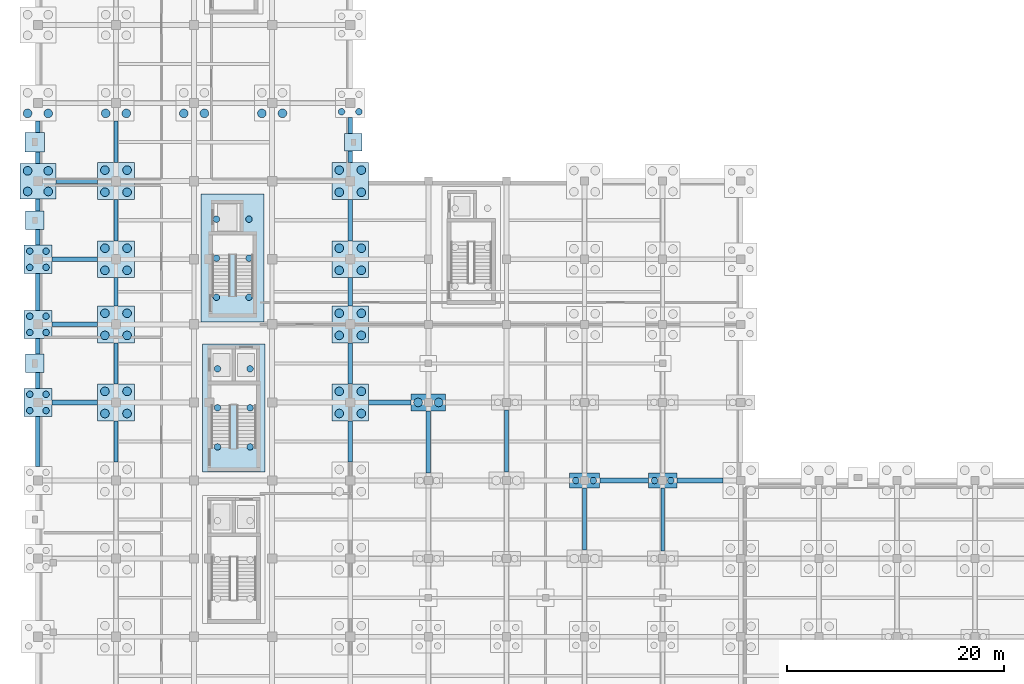
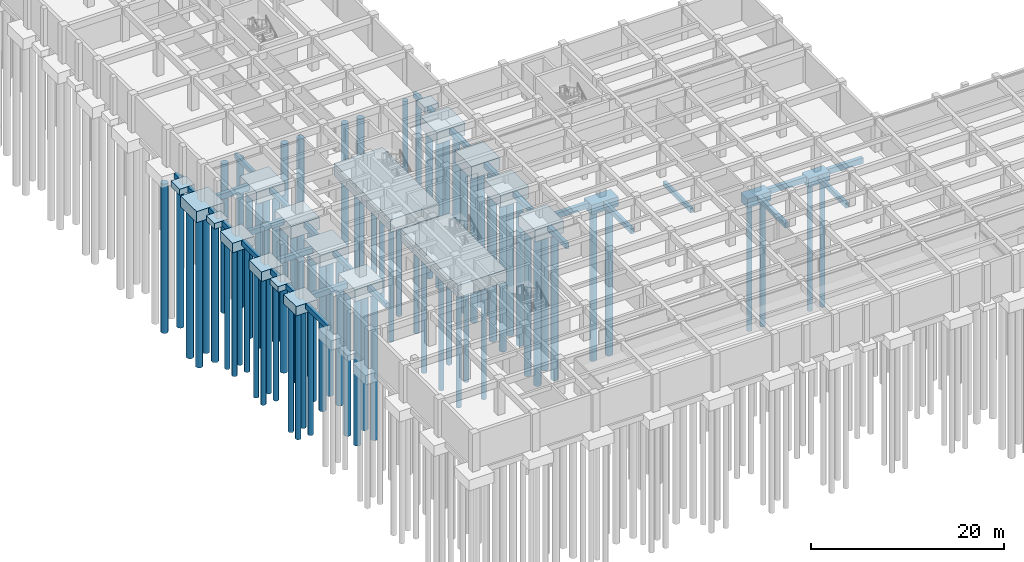
# One storey, part 3 of 28: 76 piles, 51 footings.
"""IFC4 building model written with IfcOpenShell, lengths in metres."""

from ifc_helpers import new_model, si_unit, direction, frame, origin, origin_2d, place, context, subcontext, project, spatial, rectangle, circle, extrude, material, material_profile, profile_set, type_object, element, save


model = new_model("IFC4")

# Units and contexts
model_context = context("Model", 3, precision=1e-05, world=origin(), true_north=direction((0.0, 1.0)))
body_context = subcontext(model_context, "Body", "Model", "MODEL_VIEW")
ifc_project = project(units=[si_unit("LENGTHUNIT", "METRE"), si_unit("AREAUNIT", "SQUARE_METRE"), si_unit("VOLUMEUNIT", "CUBIC_METRE"), si_unit("PLANEANGLEUNIT", "RADIAN"), si_unit("MASSUNIT", "GRAM", prefix="KILO")], contexts=[model_context])

# Site, building, storey
site_placement = place(None, origin())
site = spatial("IfcSite", under=ifc_project, at=site_placement, CompositionType="ELEMENT")
building_placement = place(site_placement, origin())
building = spatial("IfcBuilding", under=site, at=building_placement, Name="Alvorim Cloister Faculty of Sciences", CompositionType="ELEMENT")
storey_placement = place(building_placement, frame((0.0, 0.0, -4.5)))
storey = spatial("IfcBuildingStorey", under=building, at=storey_placement, Name="B01", CompositionType="ELEMENT", Elevation=-4.5)

# Footings
ifc_material_1 = material(Name="Concrete C40", Category="concrete")
footing_type_1 = type_object("IfcFootingType", Name="FT-PAD-1600x1600x700", PredefinedType="PAD_FOOTING", material=ifc_material_1)
footing_1_placement = place(storey_placement, frame((29.080078125, 60.0, -0.97998046875), z_axis=(0.0, 0.0, 1.0), x_axis=(1.0, 0.0, 0.0)))
element("IfcFooting", 1, at=footing_1_placement, inside=storey, type_object=footing_type_1, Name="Buttress Pad Footing FT-0516", PredefinedType="PAD_FOOTING", context=body_context, shape_type="SweptSolid", body=[
    extrude(rectangle(XDim=1.60009765625, YDim=1.60009765625, at=origin_2d()), origin(), (0.0, 0.0, 1.0), 0.699951171875),
])
footing_type_2 = type_object("IfcFootingType", Name="FT-PAD-1700x1700x720", PredefinedType="PAD_FOOTING", material=ifc_material_1)
for number, where, z_axis, x_axis, name in (
    (2, (-0.280029296875, 39.60009765625, -1.02001953125), (0.0, 0.0, 1.0), (1.0, 0.0, 0.0), "Buttress Pad Footing FT-0509"),
    (3, (-0.280029296875, 52.800048828125, -1.02001953125), (0.0, 0.0, 1.0), (1.0, 0.0, 0.0), "Buttress Pad Footing FT-0510"),
):
    element("IfcFooting", number, at=place(storey_placement, frame(where, z_axis=z_axis, x_axis=x_axis)), inside=storey, type_object=footing_type_2, Name=name, PredefinedType="PAD_FOOTING", context=body_context, shape_type="SweptSolid", body=[
        extrude(rectangle(XDim=1.699951171875, YDim=1.699951171875, at=origin_2d()), origin(), (0.0, 0.0, 1.0), 0.719970703125),
    ])
footing_type_3 = type_object("IfcFootingType", Name="FT-PAD-1800x1800x750", PredefinedType="PAD_FOOTING", material=ifc_material_1)
footing_2_placement = place(storey_placement, frame((-0.280029296875, 60.0, -1.030029296875), z_axis=(0.0, 0.0, 1.0), x_axis=(1.0, 0.0, 0.0)))
element("IfcFooting", 4, at=footing_2_placement, inside=storey, type_object=footing_type_3, Name="Buttress Pad Footing FT-0511", PredefinedType="PAD_FOOTING", context=body_context, shape_type="SweptSolid", body=[
    extrude(rectangle(XDim=1.800048828125, YDim=1.800048828125, at=origin_2d()), origin(), (0.0, 0.0, 1.0), 0.75),
])
footing_type_4 = type_object("IfcFootingType", Name="FT-PC-2600x1350x1100", PredefinedType="PILE_CAP", material=ifc_material_1)
footing_3_placement = place(storey_placement, frame((57.60009765625, 28.800048828125, -1.400146484375), z_axis=(0.0, 0.0, 1.0), x_axis=(1.0, 0.0, 0.0)))
element("IfcFooting", 5, at=footing_3_placement, inside=storey, type_object=footing_type_4, Name="B01 Pile Cap FT-0116", PredefinedType="PILE_CAP", context=body_context, shape_type="SweptSolid", body=[
    extrude(rectangle(XDim=2.60009765625, YDim=1.35009765625, at=origin_2d()), origin(), (0.0, 0.0, 1.0), 1.10009765625),
])
footing_type_5 = type_object("IfcFootingType", Name="FT-PC-2600x2600x1200", PredefinedType="PILE_CAP", material=ifc_material_1)
for number, where, z_axis, x_axis, name in (
    (6, (0.0, 36.0, -1.5), (0.0, 0.0, 1.0), (1.0, 0.0, 0.0), "B01 Pile Cap FT-0006"),
    (7, (0.0, 43.199951171875, -1.5), (0.0, 0.0, 1.0), (1.0, 0.0, 0.0), "B01 Pile Cap FT-0007"),
    (8, (0.0, 49.199951171875, -1.5), (0.0, 0.0, 1.0), (1.0, 0.0, 0.0), "B01 Pile Cap FT-0008"),
):
    element("IfcFooting", number, at=place(storey_placement, frame(where, z_axis=z_axis, x_axis=x_axis)), inside=storey, type_object=footing_type_5, Name=name, PredefinedType="PILE_CAP", context=body_context, shape_type="SweptSolid", body=[
        extrude(rectangle(XDim=2.60009765625, YDim=2.60009765625, at=origin_2d()), origin(), (0.0, 0.0, 1.0), 1.199951171875),
    ])
footing_type_6 = type_object("IfcFootingType", Name="FT-PC-2800x1400x1150", PredefinedType="PILE_CAP", material=ifc_material_1)
footing_4_placement = place(storey_placement, frame((50.39990234375, 28.800048828125, -1.449951171875), z_axis=(0.0, 0.0, 1.0), x_axis=(1.0, 0.0, 0.0)))
element("IfcFooting", 9, at=footing_4_placement, inside=storey, type_object=footing_type_6, Name="B01 Pile Cap FT-0107", PredefinedType="PILE_CAP", context=body_context, shape_type="SweptSolid", body=[
    extrude(rectangle(XDim=2.800048828125, YDim=1.39990234375, at=origin_2d()), origin(), (0.0, 0.0, 1.0), 1.14990234375),
])
footing_type_7 = type_object("IfcFootingType", Name="FT-PC-3200x1600x1200", PredefinedType="PILE_CAP", material=ifc_material_1)
footing_5_placement = place(storey_placement, frame((36.0, 36.0, -1.5), z_axis=(0.0, 0.0, 1.0), x_axis=(1.0, 0.0, 0.0)))
element("IfcFooting", 10, at=footing_5_placement, inside=storey, type_object=footing_type_7, Name="B01 Pile Cap FT-0090", PredefinedType="PILE_CAP", context=body_context, shape_type="SweptSolid", body=[
    extrude(rectangle(XDim=3.199951171875, YDim=1.60009765625, at=origin_2d()), origin(), (0.0, 0.0, 1.0), 1.199951171875),
])
footing_type_8 = type_object("IfcFootingType", Name="FT-PC-3300x3300x1400", PredefinedType="PILE_CAP", material=ifc_material_1)
footing_6_placement = place(storey_placement, frame((0.0, 56.39990234375, -1.699951171875), z_axis=(0.0, 0.0, 1.0), x_axis=(1.0, 0.0, 0.0)))
element("IfcFooting", 11, at=footing_6_placement, inside=storey, type_object=footing_type_8, Name="B01 Pile Cap FT-0009", PredefinedType="PILE_CAP", context=body_context, shape_type="SweptSolid", body=[
    extrude(rectangle(XDim=3.300048828125, YDim=3.300048828125, at=origin_2d()), origin(), (0.0, 0.0, 1.0), 1.39990234375),
])
footing_type_9 = type_object("IfcFootingType", Name="FT-PC-3400x3400x1550", PredefinedType="PILE_CAP", material=ifc_material_1)
for number, where, z_axis, x_axis, name in (
    (12, (7.199951171875, 36.0, -1.85009765625), (0.0, 0.0, 1.0), (1.0, 0.0, 0.0), "B01 Pile Cap FT-0023"),
    (13, (7.199951171875, 43.199951171875, -1.85009765625), (0.0, 0.0, 1.0), (1.0, 0.0, 0.0), "B01 Pile Cap FT-0024"),
    (14, (7.199951171875, 49.199951171875, -1.85009765625), (0.0, 0.0, 1.0), (1.0, 0.0, 0.0), "B01 Pile Cap FT-0025"),
    (15, (7.199951171875, 56.39990234375, -1.85009765625), (0.0, 0.0, 1.0), (1.0, 0.0, 0.0), "B01 Pile Cap FT-0026"),
    (16, (28.800048828125, 36.0, -1.85009765625), (0.0, 0.0, 1.0), (1.0, 0.0, 0.0), "B01 Pile Cap FT-0077"),
    (17, (28.800048828125, 43.199951171875, -1.85009765625), (0.0, 0.0, 1.0), (1.0, 0.0, 0.0), "B01 Pile Cap FT-0078"),
    (18, (28.800048828125, 49.199951171875, -1.85009765625), (0.0, 0.0, 1.0), (1.0, 0.0, 0.0), "B01 Pile Cap FT-0079"),
    (19, (28.800048828125, 56.39990234375, -1.85009765625), (0.0, 0.0, 1.0), (1.0, 0.0, 0.0), "B01 Pile Cap FT-0080"),
):
    element("IfcFooting", number, at=place(storey_placement, frame(where, z_axis=z_axis, x_axis=x_axis)), inside=storey, type_object=footing_type_9, Name=name, PredefinedType="PILE_CAP", context=body_context, shape_type="SweptSolid", body=[
        extrude(rectangle(XDim=3.39990234375, YDim=3.39990234375, at=origin_2d()), origin(), (0.0, 0.0, 1.0), 1.550048828125),
    ])
footing_type_10 = type_object("IfcFootingType", Name="FT-PC-5800x11800x1550", PredefinedType="PILE_CAP", material=ifc_material_1)
for number, where, z_axis, x_axis, name in (
    (20, (18.06005859375, 35.5, -1.85009765625), (0.0, 0.0, 1.0), (1.0, 0.0, 0.0), "B01 Pile Cap FT-0201"),
    (21, (17.9599609375, 49.300048828125, -1.85009765625), (0.0, 0.0, 1.0), (1.0, 0.0, 0.0), "B01 Pile Cap FT-0202"),
):
    element("IfcFooting", number, at=place(storey_placement, frame(where, z_axis=z_axis, x_axis=x_axis)), inside=storey, type_object=footing_type_10, Name=name, PredefinedType="PILE_CAP", context=body_context, shape_type="SweptSolid", body=[
        extrude(rectangle(XDim=5.800048828125, YDim=11.800048828125, at=origin_2d()), origin(), (0.0, 0.0, 1.0), 1.550048828125),
    ])
footing_type_11 = type_object("IfcFootingType", Name="FT-TB-350x600", PredefinedType="FOOTING_BEAM", material=ifc_material_1)
for number, where, z_axis, x_axis, name in (
    (22, (7.199951171875, 32.39990234375, -0.900146484375), (0.0, 0.0, 1.0), (1.0, 0.0, 0.0), "Ground Tie Beam FT-0254"),
    (23, (7.199951171875, 39.60009765625, -0.900146484375), (0.0, 0.0, 1.0), (1.0, 0.0, 0.0), "Ground Tie Beam FT-0255"),
):
    element("IfcFooting", number, at=place(storey_placement, frame(where, z_axis=z_axis, x_axis=x_axis)), inside=storey, type_object=footing_type_11, Name=name, PredefinedType="FOOTING_BEAM", context=body_context, shape_type="SweptSolid", body=[
        extrude(rectangle(XDim=0.35009765625, YDim=3.800048828125, at=origin_2d()), origin(), (0.0, 0.0, 1.0), 0.60009765625),
    ])
footing_7_placement = place(storey_placement, frame((7.199951171875, 46.199951171875, -0.900146484375), z_axis=(0.0, 0.0, 1.0), x_axis=(1.0, 0.0, 0.0)))
element("IfcFooting", 24, at=footing_7_placement, inside=storey, type_object=footing_type_11, Name="Ground Tie Beam FT-0256", PredefinedType="FOOTING_BEAM", context=body_context, shape_type="SweptSolid", body=[
    extrude(rectangle(XDim=0.35009765625, YDim=2.60009765625, at=origin_2d()), origin(), (0.0, 0.0, 1.0), 0.60009765625),
])
footing_8_placement = place(storey_placement, frame((7.199951171875, 52.800048828125, -0.900146484375), z_axis=(0.0, 0.0, 1.0), x_axis=(1.0, 0.0, 0.0)))
element("IfcFooting", 25, at=footing_8_placement, inside=storey, type_object=footing_type_11, Name="Ground Tie Beam FT-0257", PredefinedType="FOOTING_BEAM", context=body_context, shape_type="SweptSolid", body=[
    extrude(rectangle(XDim=0.35009765625, YDim=3.800048828125, at=origin_2d()), origin(), (0.0, 0.0, 1.0), 0.60009765625),
])
footing_9_placement = place(storey_placement, frame((7.199951171875, 60.02490234375, -0.900146484375), z_axis=(0.0, 0.0, 1.0), x_axis=(1.0, 0.0, 0.0)))
element("IfcFooting", 26, at=footing_9_placement, inside=storey, type_object=footing_type_11, Name="Ground Tie Beam FT-0258", PredefinedType="FOOTING_BEAM", context=body_context, shape_type="SweptSolid", body=[
    extrude(rectangle(XDim=0.35009765625, YDim=3.85009765625, at=origin_2d()), origin(), (0.0, 0.0, 1.0), 0.60009765625),
])
footing_10_placement = place(storey_placement, frame((43.199951171875, 32.449951171875, -0.900146484375), z_axis=(0.0, 0.0, 1.0), x_axis=(1.0, 0.0, 0.0)))
element("IfcFooting", 27, at=footing_10_placement, inside=storey, type_object=footing_type_11, Name="Ground Tie Beam FT-0337", PredefinedType="FOOTING_BEAM", context=body_context, shape_type="SweptSolid", body=[
    extrude(rectangle(XDim=0.35009765625, YDim=5.699951171875, at=origin_2d()), origin(), (0.0, 0.0, 1.0), 0.60009765625),
])
footing_11_placement = place(storey_placement, frame((57.60009765625, 25.21240234375, -0.900146484375), z_axis=(0.0, 0.0, 1.0), x_axis=(1.0, 0.0, 0.0)))
element("IfcFooting", 28, at=footing_11_placement, inside=storey, type_object=footing_type_11, Name="Ground Tie Beam FT-0365", PredefinedType="FOOTING_BEAM", context=body_context, shape_type="SweptSolid", body=[
    extrude(rectangle(XDim=0.35009765625, YDim=5.824951171875, at=origin_2d()), origin(), (0.0, 0.0, 1.0), 0.60009765625),
])
footing_type_12 = type_object("IfcFootingType", Name="FT-TB-400x650", PredefinedType="FOOTING_BEAM", material=ifc_material_1)
footing_12_placement = place(storey_placement, frame((0.0, 32.39990234375, -0.949951171875), z_axis=(0.0, 0.0, 1.0), x_axis=(1.0, 0.0, 0.0)))
element("IfcFooting", 29, at=footing_12_placement, inside=storey, type_object=footing_type_12, Name="Ground Tie Beam FT-0216", PredefinedType="FOOTING_BEAM", context=body_context, shape_type="SweptSolid", body=[
    extrude(rectangle(XDim=0.39990234375, YDim=4.60009765625, at=origin_2d()), origin(), (0.0, 0.0, 1.0), 0.64990234375),
])
for number, where, z_axis, x_axis, name in (
    (30, (0.0, 38.02490234375, -0.949951171875), (0.0, 0.0, 1.0), (1.0, 0.0, 0.0), "Ground Tie Beam FT-0218"),
    (31, (0.0, 41.175048828125, -0.949951171875), (0.0, 0.0, 1.0), (1.0, 0.0, 0.0), "Ground Tie Beam FT-0219"),
):
    element("IfcFooting", number, at=place(storey_placement, frame(where, z_axis=z_axis, x_axis=x_axis)), inside=storey, type_object=footing_type_12, Name=name, PredefinedType="FOOTING_BEAM", context=body_context, shape_type="SweptSolid", body=[
        extrude(rectangle(XDim=0.39990234375, YDim=1.449951171875, at=origin_2d()), origin(), (0.0, 0.0, 1.0), 0.64990234375),
    ])
footing_13_placement = place(storey_placement, frame((0.0, 46.199951171875, -0.949951171875), z_axis=(0.0, 0.0, 1.0), x_axis=(1.0, 0.0, 0.0)))
element("IfcFooting", 32, at=footing_13_placement, inside=storey, type_object=footing_type_12, Name="Ground Tie Beam FT-0221", PredefinedType="FOOTING_BEAM", context=body_context, shape_type="SweptSolid", body=[
    extrude(rectangle(XDim=0.39990234375, YDim=3.39990234375, at=origin_2d()), origin(), (0.0, 0.0, 1.0), 0.64990234375),
])
footing_14_placement = place(storey_placement, frame((3.39990234375, 43.199951171875, -0.949951171875), z_axis=(0.0, 0.0, 1.0), x_axis=(1.0, 0.0, 0.0)))
element("IfcFooting", 33, at=footing_14_placement, inside=storey, type_object=footing_type_12, Name="Ground Tie Beam FT-0222", PredefinedType="FOOTING_BEAM", context=body_context, shape_type="SweptSolid", body=[
    extrude(rectangle(XDim=4.199951171875, YDim=0.39990234375, at=origin_2d()), origin(), (0.0, 0.0, 1.0), 0.64990234375),
])
footing_15_placement = place(storey_placement, frame((0.0, 51.22509765625, -0.949951171875), z_axis=(0.0, 0.0, 1.0), x_axis=(1.0, 0.0, 0.0)))
element("IfcFooting", 34, at=footing_15_placement, inside=storey, type_object=footing_type_12, Name="Ground Tie Beam FT-0223", PredefinedType="FOOTING_BEAM", context=body_context, shape_type="SweptSolid", body=[
    extrude(rectangle(XDim=0.39990234375, YDim=1.449951171875, at=origin_2d()), origin(), (0.0, 0.0, 1.0), 0.64990234375),
])
footing_16_placement = place(storey_placement, frame((0.0, 54.199951171875, -0.949951171875), z_axis=(0.0, 0.0, 1.0), x_axis=(1.0, 0.0, 0.0)))
element("IfcFooting", 35, at=footing_16_placement, inside=storey, type_object=footing_type_12, Name="Ground Tie Beam FT-0224", PredefinedType="FOOTING_BEAM", context=body_context, shape_type="SweptSolid", body=[
    extrude(rectangle(XDim=0.39990234375, YDim=1.10009765625, at=origin_2d()), origin(), (0.0, 0.0, 1.0), 0.64990234375),
])
footing_17_placement = place(storey_placement, frame((3.39990234375, 49.199951171875, -0.949951171875), z_axis=(0.0, 0.0, 1.0), x_axis=(1.0, 0.0, 0.0)))
element("IfcFooting", 36, at=footing_17_placement, inside=storey, type_object=footing_type_12, Name="Ground Tie Beam FT-0225", PredefinedType="FOOTING_BEAM", context=body_context, shape_type="SweptSolid", body=[
    extrude(rectangle(XDim=4.199951171875, YDim=0.39990234375, at=origin_2d()), origin(), (0.0, 0.0, 1.0), 0.64990234375),
])
for number, where, z_axis, x_axis, name in (
    (37, (0.0, 58.574951171875, -0.949951171875), (0.0, 0.0, 1.0), (1.0, 0.0, 0.0), "Ground Tie Beam FT-0226"),
    (38, (0.0, 61.425048828125, -0.949951171875), (0.0, 0.0, 1.0), (1.0, 0.0, 0.0), "Ground Tie Beam FT-0227"),
):
    element("IfcFooting", number, at=place(storey_placement, frame(where, z_axis=z_axis, x_axis=x_axis)), inside=storey, type_object=footing_type_12, Name=name, PredefinedType="FOOTING_BEAM", context=body_context, shape_type="SweptSolid", body=[
        extrude(rectangle(XDim=0.39990234375, YDim=1.050048828125, at=origin_2d()), origin(), (0.0, 0.0, 1.0), 0.64990234375),
    ])
for number, where, z_axis, x_axis, name in (
    (39, (28.800048828125, 32.39990234375, -0.949951171875), (0.0, 0.0, 1.0), (1.0, 0.0, 0.0), "Ground Tie Beam FT-0302"),
    (40, (28.800048828125, 39.60009765625, -0.949951171875), (0.0, 0.0, 1.0), (1.0, 0.0, 0.0), "Ground Tie Beam FT-0304"),
):
    element("IfcFooting", number, at=place(storey_placement, frame(where, z_axis=z_axis, x_axis=x_axis)), inside=storey, type_object=footing_type_12, Name=name, PredefinedType="FOOTING_BEAM", context=body_context, shape_type="SweptSolid", body=[
        extrude(rectangle(XDim=0.39990234375, YDim=3.800048828125, at=origin_2d()), origin(), (0.0, 0.0, 1.0), 0.64990234375),
    ])
footing_18_placement = place(storey_placement, frame((28.800048828125, 46.199951171875, -0.949951171875), z_axis=(0.0, 0.0, 1.0), x_axis=(1.0, 0.0, 0.0)))
element("IfcFooting", 41, at=footing_18_placement, inside=storey, type_object=footing_type_12, Name="Ground Tie Beam FT-0306", PredefinedType="FOOTING_BEAM", context=body_context, shape_type="SweptSolid", body=[
    extrude(rectangle(XDim=0.39990234375, YDim=2.60009765625, at=origin_2d()), origin(), (0.0, 0.0, 1.0), 0.64990234375),
])
footing_19_placement = place(storey_placement, frame((28.800048828125, 52.800048828125, -0.949951171875), z_axis=(0.0, 0.0, 1.0), x_axis=(1.0, 0.0, 0.0)))
element("IfcFooting", 42, at=footing_19_placement, inside=storey, type_object=footing_type_12, Name="Ground Tie Beam FT-0307", PredefinedType="FOOTING_BEAM", context=body_context, shape_type="SweptSolid", body=[
    extrude(rectangle(XDim=0.39990234375, YDim=3.800048828125, at=origin_2d()), origin(), (0.0, 0.0, 1.0), 0.64990234375),
])
footing_20_placement = place(storey_placement, frame((28.800048828125, 58.64990234375, -0.949951171875), z_axis=(0.0, 0.0, 1.0), x_axis=(1.0, 0.0, 0.0)))
element("IfcFooting", 43, at=footing_20_placement, inside=storey, type_object=footing_type_12, Name="Ground Tie Beam FT-0308", PredefinedType="FOOTING_BEAM", context=body_context, shape_type="SweptSolid", body=[
    extrude(rectangle(XDim=0.39990234375, YDim=1.10009765625, at=origin_2d()), origin(), (0.0, 0.0, 1.0), 0.64990234375),
])
footing_21_placement = place(storey_placement, frame((28.800048828125, 61.52490234375, -0.949951171875), z_axis=(0.0, 0.0, 1.0), x_axis=(1.0, 0.0, 0.0)))
element("IfcFooting", 44, at=footing_21_placement, inside=storey, type_object=footing_type_12, Name="Ground Tie Beam FT-0309", PredefinedType="FOOTING_BEAM", context=body_context, shape_type="SweptSolid", body=[
    extrude(rectangle(XDim=0.39990234375, YDim=1.449951171875, at=origin_2d()), origin(), (0.0, 0.0, 1.0), 0.64990234375),
])
footing_22_placement = place(storey_placement, frame((36.0, 32.33740234375, -0.949951171875), z_axis=(0.0, 0.0, 1.0), x_axis=(1.0, 0.0, 0.0)))
element("IfcFooting", 45, at=footing_22_placement, inside=storey, type_object=footing_type_12, Name="Ground Tie Beam FT-0325", PredefinedType="FOOTING_BEAM", context=body_context, shape_type="SweptSolid", body=[
    extrude(rectangle(XDim=0.39990234375, YDim=5.72509765625, at=origin_2d()), origin(), (0.0, 0.0, 1.0), 0.64990234375),
])
footing_23_placement = place(storey_placement, frame((50.39990234375, 25.25, -0.949951171875), z_axis=(0.0, 0.0, 1.0), x_axis=(1.0, 0.0, 0.0)))
element("IfcFooting", 46, at=footing_23_placement, inside=storey, type_object=footing_type_12, Name="Ground Tie Beam FT-0346", PredefinedType="FOOTING_BEAM", context=body_context, shape_type="SweptSolid", body=[
    extrude(rectangle(XDim=0.39990234375, YDim=5.699951171875, at=origin_2d()), origin(), (0.0, 0.0, 1.0), 0.64990234375),
])
footing_type_13 = type_object("IfcFootingType", Name="FT-TB-450x700", PredefinedType="FOOTING_BEAM", material=ifc_material_1)
footing_24_placement = place(storey_placement, frame((3.39990234375, 36.0, -1.0), z_axis=(0.0, 0.0, 1.0), x_axis=(1.0, 0.0, 0.0)))
element("IfcFooting", 47, at=footing_24_placement, inside=storey, type_object=footing_type_13, Name="Ground Tie Beam FT-0220", PredefinedType="FOOTING_BEAM", context=body_context, shape_type="SweptSolid", body=[
    extrude(rectangle(XDim=4.199951171875, YDim=0.449951171875, at=origin_2d()), origin(), (0.0, 0.0, 1.0), 0.699951171875),
])
footing_25_placement = place(storey_placement, frame((3.574951171875, 56.39990234375, -1.0), z_axis=(0.0, 0.0, 1.0), x_axis=(1.0, 0.0, 0.0)))
element("IfcFooting", 48, at=footing_25_placement, inside=storey, type_object=footing_type_13, Name="Ground Tie Beam FT-0228", PredefinedType="FOOTING_BEAM", context=body_context, shape_type="SweptSolid", body=[
    extrude(rectangle(XDim=3.85009765625, YDim=0.449951171875, at=origin_2d()), origin(), (0.0, 0.0, 1.0), 0.699951171875),
])
footing_26_placement = place(storey_placement, frame((32.449951171875, 36.0, -1.0), z_axis=(0.0, 0.0, 1.0), x_axis=(1.0, 0.0, 0.0)))
element("IfcFooting", 49, at=footing_26_placement, inside=storey, type_object=footing_type_13, Name="Ground Tie Beam FT-0305", PredefinedType="FOOTING_BEAM", context=body_context, shape_type="SweptSolid", body=[
    extrude(rectangle(XDim=3.89990234375, YDim=0.449951171875, at=origin_2d()), origin(), (0.0, 0.0, 1.0), 0.699951171875),
])
footing_27_placement = place(storey_placement, frame((54.050048828125, 28.800048828125, -1.0), z_axis=(0.0, 0.0, 1.0), x_axis=(1.0, 0.0, 0.0)))
element("IfcFooting", 50, at=footing_27_placement, inside=storey, type_object=footing_type_13, Name="Ground Tie Beam FT-0349", PredefinedType="FOOTING_BEAM", context=body_context, shape_type="SweptSolid", body=[
    extrude(rectangle(XDim=4.5, YDim=0.449951171875, at=origin_2d()), origin(), (0.0, 0.0, 1.0), 0.699951171875),
])
footing_28_placement = place(storey_placement, frame((61.02490234375, 28.800048828125, -1.0), z_axis=(0.0, 0.0, 1.0), x_axis=(1.0, 0.0, 0.0)))
element("IfcFooting", 51, at=footing_28_placement, inside=storey, type_object=footing_type_13, Name="Ground Tie Beam FT-0368", PredefinedType="FOOTING_BEAM", context=body_context, shape_type="SweptSolid", body=[
    extrude(rectangle(XDim=4.25, YDim=0.449951171875, at=origin_2d()), origin(), (0.0, 0.0, 1.0), 0.699951171875),
])

# Piles
ifc_material_2 = material(Name="Concrete C30", Category="concrete")
ifc_material_profile_1 = material_profile(ifc_material_2, circle(Radius=0.300048828125, at=origin_2d()), Name="PILE-D600")
ifc_profile_set_1 = profile_set([ifc_material_profile_1], Name="Concrete C30")
pile_type_1 = type_object("IfcPileType", Name="PL-BORED-D600", PredefinedType="BORED", material=ifc_profile_set_1)
for number, where, z_axis, x_axis, name in (
    (52, (-0.75, 35.25, -1.39990234375), (0.0, 0.0, -1.0), (1.0, 0.0, 0.0), "Bored Pile PL-0021"),
    (53, (0.75, 35.25, -1.39990234375), (0.0, 0.0, -1.0), (1.0, 0.0, 0.0), "Bored Pile PL-0022"),
    (54, (-0.75, 36.75, -1.39990234375), (0.0, 0.0, -1.0), (1.0, 0.0, 0.0), "Bored Pile PL-0023"),
    (55, (0.75, 36.75, -1.39990234375), (0.0, 0.0, -1.0), (1.0, 0.0, 0.0), "Bored Pile PL-0024"),
    (56, (-0.75, 42.449951171875, -1.39990234375), (0.0, 0.0, -1.0), (1.0, 0.0, 0.0), "Bored Pile PL-0025"),
    (57, (0.75, 42.449951171875, -1.39990234375), (0.0, 0.0, -1.0), (1.0, 0.0, 0.0), "Bored Pile PL-0026"),
    (58, (-0.75, 43.949951171875, -1.39990234375), (0.0, 0.0, -1.0), (1.0, 0.0, 0.0), "Bored Pile PL-0027"),
    (59, (0.75, 43.949951171875, -1.39990234375), (0.0, 0.0, -1.0), (1.0, 0.0, 0.0), "Bored Pile PL-0028"),
    (60, (-0.75, 48.449951171875, -1.39990234375), (0.0, 0.0, -1.0), (1.0, 0.0, 0.0), "Bored Pile PL-0029"),
    (61, (0.75, 48.449951171875, -1.39990234375), (0.0, 0.0, -1.0), (1.0, 0.0, 0.0), "Bored Pile PL-0030"),
    (62, (-0.75, 49.949951171875, -1.39990234375), (0.0, 0.0, -1.0), (1.0, 0.0, 0.0), "Bored Pile PL-0031"),
    (63, (0.75, 49.949951171875, -1.39990234375), (0.0, 0.0, -1.0), (1.0, 0.0, 0.0), "Bored Pile PL-0032"),
    (64, (28.0, 62.800048828125, -1.39990234375), (0.0, 0.0, -1.0), (1.0, 0.0, 0.0), "Bored Pile PL-0321"),
    (65, (29.60009765625, 62.800048828125, -1.39990234375), (0.0, 0.0, -1.0), (1.0, 0.0, 0.0), "Bored Pile PL-0322"),
):
    element("IfcPile", number, at=place(storey_placement, frame(where, z_axis=z_axis, x_axis=x_axis)), inside=storey, type_object=pile_type_1, Name=name, PredefinedType="BORED", context=body_context, shape_type="SweptSolid", body=[
        extrude(circle(Radius=0.300048828125, at=origin_2d()), origin(), (0.0, 0.0, 1.0), 16.10009765625),
    ])
for number, where, z_axis, x_axis, name in (
    (66, (49.60009765625, 28.800048828125, -1.35009765625), (0.0, 0.0, -1.0), (1.0, 0.0, 0.0), "Bored Pile PL-0411"),
    (67, (51.199951171875, 28.800048828125, -1.35009765625), (0.0, 0.0, -1.0), (1.0, 0.0, 0.0), "Bored Pile PL-0412"),
):
    element("IfcPile", number, at=place(storey_placement, frame(where, z_axis=z_axis, x_axis=x_axis)), inside=storey, type_object=pile_type_1, Name=name, PredefinedType="BORED", context=body_context, shape_type="SweptSolid", body=[
        extrude(circle(Radius=0.300048828125, at=origin_2d()), origin(), (0.0, 0.0, 1.0), 16.14990234375),
    ])
for number, where, z_axis, x_axis, name in (
    (68, (56.85009765625, 28.800048828125, -1.300048828125), (0.0, 0.0, -1.0), (1.0, 0.0, 0.0), "Bored Pile PL-0441"),
    (69, (58.35009765625, 28.800048828125, -1.300048828125), (0.0, 0.0, -1.0), (1.0, 0.0, 0.0), "Bored Pile PL-0442"),
):
    element("IfcPile", number, at=place(storey_placement, frame(where, z_axis=z_axis, x_axis=x_axis)), inside=storey, type_object=pile_type_1, Name=name, PredefinedType="BORED", context=body_context, shape_type="SweptSolid", body=[
        extrude(circle(Radius=0.300048828125, at=origin_2d()), origin(), (0.0, 0.0, 1.0), 16.199951171875),
    ])
for number, where, z_axis, x_axis, name in (
    (70, (16.56005859375, 31.89990234375, -1.75), (0.0, 0.0, -1.0), (1.0, 0.0, 0.0), "Bored Pile PL-0759"),
    (71, (19.56005859375, 31.89990234375, -1.75), (0.0, 0.0, -1.0), (1.0, 0.0, 0.0), "Bored Pile PL-0760"),
    (72, (16.56005859375, 35.5, -1.75), (0.0, 0.0, -1.0), (1.0, 0.0, 0.0), "Bored Pile PL-0761"),
    (73, (19.56005859375, 35.5, -1.75), (0.0, 0.0, -1.0), (1.0, 0.0, 0.0), "Bored Pile PL-0762"),
    (74, (16.56005859375, 39.10009765625, -1.75), (0.0, 0.0, -1.0), (1.0, 0.0, 0.0), "Bored Pile PL-0763"),
    (75, (19.56005859375, 39.10009765625, -1.75), (0.0, 0.0, -1.0), (1.0, 0.0, 0.0), "Bored Pile PL-0764"),
    (76, (16.4599609375, 45.699951171875, -1.75), (0.0, 0.0, -1.0), (1.0, 0.0, 0.0), "Bored Pile PL-0765"),
    (77, (19.4599609375, 45.699951171875, -1.75), (0.0, 0.0, -1.0), (1.0, 0.0, 0.0), "Bored Pile PL-0766"),
    (78, (16.4599609375, 49.300048828125, -1.75), (0.0, 0.0, -1.0), (1.0, 0.0, 0.0), "Bored Pile PL-0767"),
    (79, (19.4599609375, 49.300048828125, -1.75), (0.0, 0.0, -1.0), (1.0, 0.0, 0.0), "Bored Pile PL-0768"),
    (80, (16.4599609375, 52.89990234375, -1.75), (0.0, 0.0, -1.0), (1.0, 0.0, 0.0), "Bored Pile PL-0769"),
    (81, (19.4599609375, 52.89990234375, -1.75), (0.0, 0.0, -1.0), (1.0, 0.0, 0.0), "Bored Pile PL-0770"),
):
    element("IfcPile", number, at=place(storey_placement, frame(where, z_axis=z_axis, x_axis=x_axis)), inside=storey, type_object=pile_type_1, Name=name, PredefinedType="BORED", context=body_context, shape_type="SweptSolid", body=[
        extrude(circle(Radius=0.300048828125, at=origin_2d()), origin(), (0.0, 0.0, 1.0), 15.75),
    ])
ifc_material_profile_2 = material_profile(ifc_material_2, circle(Radius=0.39990234375, at=origin_2d()), Name="PILE-D800")
ifc_profile_set_2 = profile_set([ifc_material_profile_2], Name="Concrete C30")
pile_type_2 = type_object("IfcPileType", Name="PL-BORED-D800", PredefinedType="BORED", material=ifc_profile_set_2)
for number, where, z_axis, x_axis, name in (
    (82, (-0.949951171875, 55.449951171875, -1.60009765625), (0.0, 0.0, -1.0), (1.0, 0.0, 0.0), "Bored Pile PL-0033"),
    (83, (0.949951171875, 55.449951171875, -1.60009765625), (0.0, 0.0, -1.0), (1.0, 0.0, 0.0), "Bored Pile PL-0034"),
    (84, (-0.949951171875, 57.35009765625, -1.60009765625), (0.0, 0.0, -1.0), (1.0, 0.0, 0.0), "Bored Pile PL-0035"),
    (85, (0.949951171875, 57.35009765625, -1.60009765625), (0.0, 0.0, -1.0), (1.0, 0.0, 0.0), "Bored Pile PL-0036"),
):
    element("IfcPile", number, at=place(storey_placement, frame(where, z_axis=z_axis, x_axis=x_axis)), inside=storey, type_object=pile_type_2, Name=name, PredefinedType="BORED", context=body_context, shape_type="SweptSolid", body=[
        extrude(circle(Radius=0.39990234375, at=origin_2d()), origin(), (0.0, 0.0, 1.0), 18.89990234375),
    ])
for number, where, z_axis, x_axis, name in (
    (86, (-0.949951171875, 62.64990234375, -1.580078125), (0.0, 0.0, -1.0), (1.0, 0.0, 0.0), "Bored Pile PL-0037"),
    (87, (0.949951171875, 62.64990234375, -1.580078125), (0.0, 0.0, -1.0), (1.0, 0.0, 0.0), "Bored Pile PL-0038"),
):
    element("IfcPile", number, at=place(storey_placement, frame(where, z_axis=z_axis, x_axis=x_axis)), inside=storey, type_object=pile_type_2, Name=name, PredefinedType="BORED", context=body_context, shape_type="SweptSolid", body=[
        extrude(circle(Radius=0.39990234375, at=origin_2d()), origin(), (0.0, 0.0, 1.0), 18.919921875),
    ])
for number, where, z_axis, x_axis, name in (
    (88, (6.179931640625, 34.97998046875, -1.75), (0.0, 0.0, -1.0), (1.0, 0.0, 0.0), "Bored Pile PL-0089"),
    (89, (8.219970703125, 34.97998046875, -1.75), (0.0, 0.0, -1.0), (1.0, 0.0, 0.0), "Bored Pile PL-0090"),
    (90, (6.179931640625, 37.02001953125, -1.75), (0.0, 0.0, -1.0), (1.0, 0.0, 0.0), "Bored Pile PL-0091"),
    (91, (8.219970703125, 37.02001953125, -1.75), (0.0, 0.0, -1.0), (1.0, 0.0, 0.0), "Bored Pile PL-0092"),
    (92, (6.179931640625, 42.179931640625, -1.75), (0.0, 0.0, -1.0), (1.0, 0.0, 0.0), "Bored Pile PL-0093"),
    (93, (8.219970703125, 42.179931640625, -1.75), (0.0, 0.0, -1.0), (1.0, 0.0, 0.0), "Bored Pile PL-0094"),
    (94, (6.179931640625, 44.219970703125, -1.75), (0.0, 0.0, -1.0), (1.0, 0.0, 0.0), "Bored Pile PL-0095"),
    (95, (8.219970703125, 44.219970703125, -1.75), (0.0, 0.0, -1.0), (1.0, 0.0, 0.0), "Bored Pile PL-0096"),
    (96, (6.179931640625, 48.179931640625, -1.75), (0.0, 0.0, -1.0), (1.0, 0.0, 0.0), "Bored Pile PL-0097"),
    (97, (8.219970703125, 48.179931640625, -1.75), (0.0, 0.0, -1.0), (1.0, 0.0, 0.0), "Bored Pile PL-0098"),
    (98, (6.179931640625, 50.219970703125, -1.75), (0.0, 0.0, -1.0), (1.0, 0.0, 0.0), "Bored Pile PL-0099"),
    (99, (8.219970703125, 50.219970703125, -1.75), (0.0, 0.0, -1.0), (1.0, 0.0, 0.0), "Bored Pile PL-0100"),
    (100, (6.179931640625, 55.3798828125, -1.75), (0.0, 0.0, -1.0), (1.0, 0.0, 0.0), "Bored Pile PL-0101"),
    (101, (8.219970703125, 55.3798828125, -1.75), (0.0, 0.0, -1.0), (1.0, 0.0, 0.0), "Bored Pile PL-0102"),
    (102, (6.179931640625, 57.419921875, -1.75), (0.0, 0.0, -1.0), (1.0, 0.0, 0.0), "Bored Pile PL-0103"),
    (103, (8.219970703125, 57.419921875, -1.75), (0.0, 0.0, -1.0), (1.0, 0.0, 0.0), "Bored Pile PL-0104"),
):
    element("IfcPile", number, at=place(storey_placement, frame(where, z_axis=z_axis, x_axis=x_axis)), inside=storey, type_object=pile_type_2, Name=name, PredefinedType="BORED", context=body_context, shape_type="SweptSolid", body=[
        extrude(circle(Radius=0.39990234375, at=origin_2d()), origin(), (0.0, 0.0, 1.0), 18.75),
    ])
for number, where, z_axis, x_axis, name in (
    (104, (6.25, 62.64990234375, -1.580078125), (0.0, 0.0, -1.0), (1.0, 0.0, 0.0), "Bored Pile PL-0105"),
    (105, (8.14990234375, 62.64990234375, -1.580078125), (0.0, 0.0, -1.0), (1.0, 0.0, 0.0), "Bored Pile PL-0106"),
    (106, (13.449951171875, 62.64990234375, -1.580078125), (0.0, 0.0, -1.0), (1.0, 0.0, 0.0), "Bored Pile PL-0173"),
    (107, (15.35009765625, 62.64990234375, -1.580078125), (0.0, 0.0, -1.0), (1.0, 0.0, 0.0), "Bored Pile PL-0174"),
    (108, (20.64990234375, 62.64990234375, -1.580078125), (0.0, 0.0, -1.0), (1.0, 0.0, 0.0), "Bored Pile PL-0253"),
    (109, (22.550048828125, 62.64990234375, -1.580078125), (0.0, 0.0, -1.0), (1.0, 0.0, 0.0), "Bored Pile PL-0254"),
):
    element("IfcPile", number, at=place(storey_placement, frame(where, z_axis=z_axis, x_axis=x_axis)), inside=storey, type_object=pile_type_2, Name=name, PredefinedType="BORED", context=body_context, shape_type="SweptSolid", body=[
        extrude(circle(Radius=0.39990234375, at=origin_2d()), origin(), (0.0, 0.0, 1.0), 18.919921875),
    ])
for number, where, z_axis, x_axis, name in (
    (110, (27.780029296875, 34.97998046875, -1.75), (0.0, 0.0, -1.0), (1.0, 0.0, 0.0), "Bored Pile PL-0305"),
    (111, (29.820068359375, 34.97998046875, -1.75), (0.0, 0.0, -1.0), (1.0, 0.0, 0.0), "Bored Pile PL-0306"),
    (112, (27.780029296875, 37.02001953125, -1.75), (0.0, 0.0, -1.0), (1.0, 0.0, 0.0), "Bored Pile PL-0307"),
    (113, (29.820068359375, 37.02001953125, -1.75), (0.0, 0.0, -1.0), (1.0, 0.0, 0.0), "Bored Pile PL-0308"),
    (114, (27.780029296875, 42.179931640625, -1.75), (0.0, 0.0, -1.0), (1.0, 0.0, 0.0), "Bored Pile PL-0309"),
    (115, (29.820068359375, 42.179931640625, -1.75), (0.0, 0.0, -1.0), (1.0, 0.0, 0.0), "Bored Pile PL-0310"),
    (116, (27.780029296875, 44.219970703125, -1.75), (0.0, 0.0, -1.0), (1.0, 0.0, 0.0), "Bored Pile PL-0311"),
    (117, (29.820068359375, 44.219970703125, -1.75), (0.0, 0.0, -1.0), (1.0, 0.0, 0.0), "Bored Pile PL-0312"),
    (118, (27.780029296875, 48.179931640625, -1.75), (0.0, 0.0, -1.0), (1.0, 0.0, 0.0), "Bored Pile PL-0313"),
    (119, (29.820068359375, 48.179931640625, -1.75), (0.0, 0.0, -1.0), (1.0, 0.0, 0.0), "Bored Pile PL-0314"),
    (120, (27.780029296875, 50.219970703125, -1.75), (0.0, 0.0, -1.0), (1.0, 0.0, 0.0), "Bored Pile PL-0315"),
    (121, (29.820068359375, 50.219970703125, -1.75), (0.0, 0.0, -1.0), (1.0, 0.0, 0.0), "Bored Pile PL-0316"),
    (122, (27.780029296875, 55.3798828125, -1.75), (0.0, 0.0, -1.0), (1.0, 0.0, 0.0), "Bored Pile PL-0317"),
    (123, (29.820068359375, 55.3798828125, -1.75), (0.0, 0.0, -1.0), (1.0, 0.0, 0.0), "Bored Pile PL-0318"),
    (124, (27.780029296875, 57.419921875, -1.75), (0.0, 0.0, -1.0), (1.0, 0.0, 0.0), "Bored Pile PL-0319"),
    (125, (29.820068359375, 57.419921875, -1.75), (0.0, 0.0, -1.0), (1.0, 0.0, 0.0), "Bored Pile PL-0320"),
):
    element("IfcPile", number, at=place(storey_placement, frame(where, z_axis=z_axis, x_axis=x_axis)), inside=storey, type_object=pile_type_2, Name=name, PredefinedType="BORED", context=body_context, shape_type="SweptSolid", body=[
        extrude(circle(Radius=0.39990234375, at=origin_2d()), origin(), (0.0, 0.0, 1.0), 18.75),
    ])
for number, where, z_axis, x_axis, name in (
    (126, (35.050048828125, 36.0, -1.39990234375), (0.0, 0.0, -1.0), (1.0, 0.0, 0.0), "Bored Pile PL-0353"),
    (127, (36.949951171875, 36.0, -1.39990234375), (0.0, 0.0, -1.0), (1.0, 0.0, 0.0), "Bored Pile PL-0354"),
):
    element("IfcPile", number, at=place(storey_placement, frame(where, z_axis=z_axis, x_axis=x_axis)), inside=storey, type_object=pile_type_2, Name=name, PredefinedType="BORED", context=body_context, shape_type="SweptSolid", body=[
        extrude(circle(Radius=0.39990234375, at=origin_2d()), origin(), (0.0, 0.0, 1.0), 19.10009765625),
    ])

save(model, "model.ifc")
